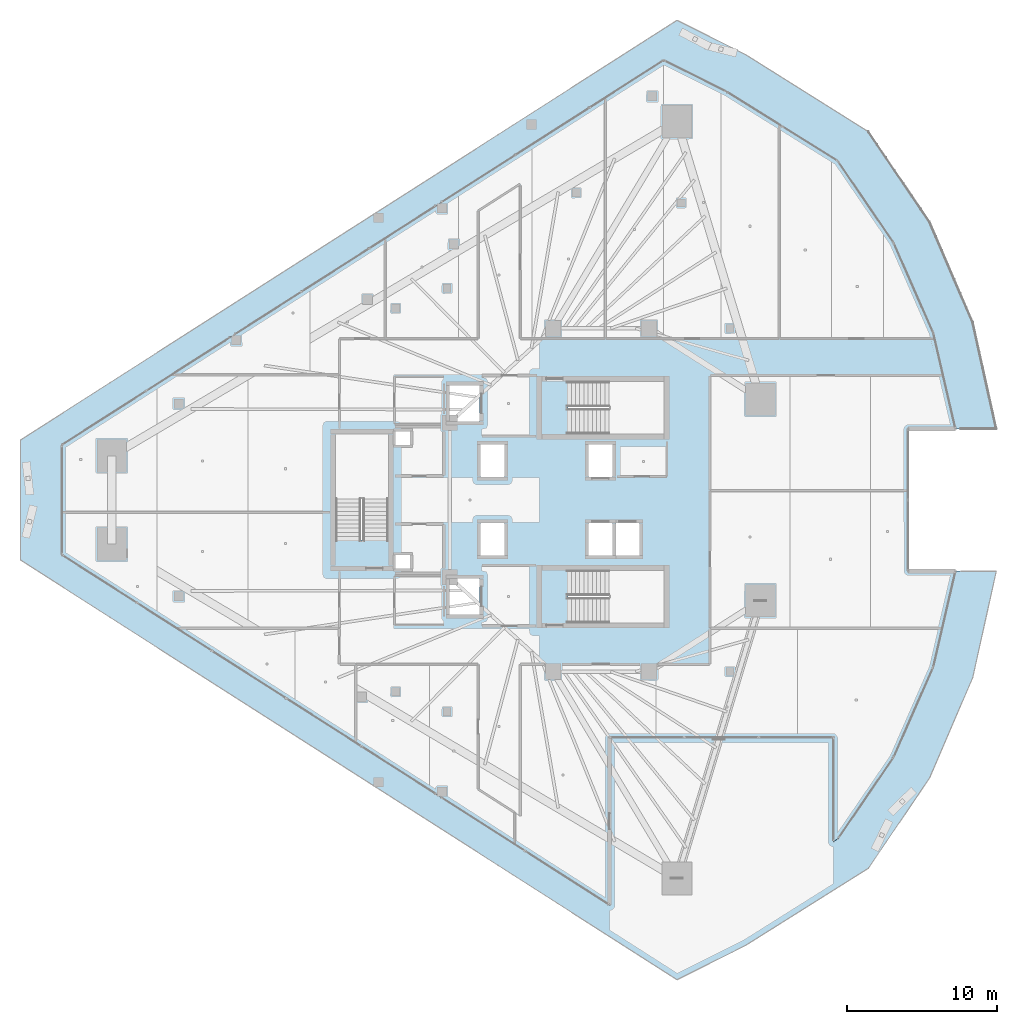
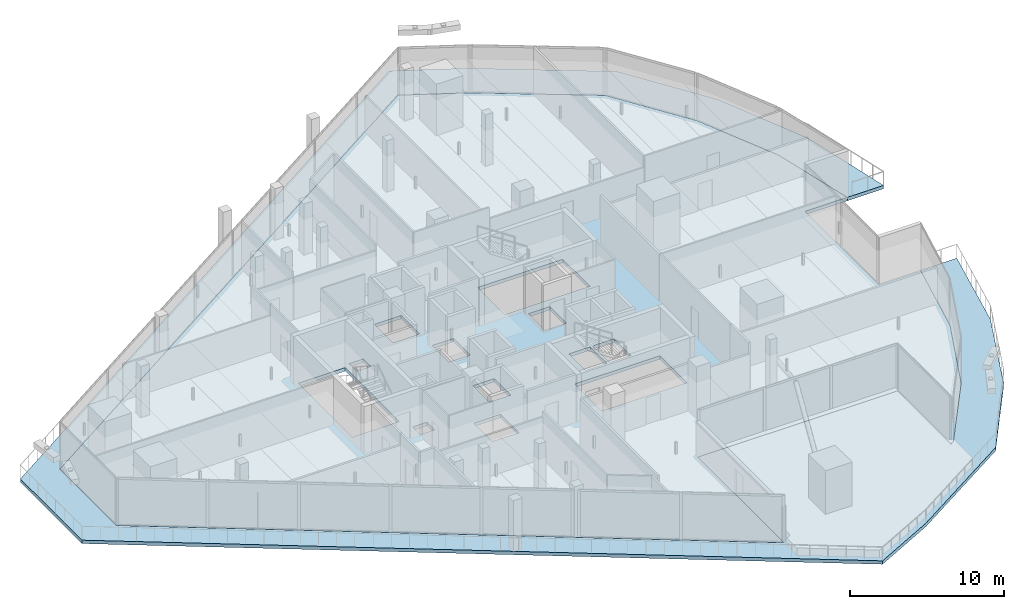
# One storey, part 24 of 38: 2 slabs.
"""IFC4 building model written with IfcOpenShell, lengths in metres."""

from ifc_helpers import new_model, si_unit, direction, frame, origin, place, context, subcontext, project, spatial, polyline, outline, extrude, material, layer, layer_set, type_object, element, save


model = new_model("IFC4")

# Units and contexts
model_context = context("Model", 3, precision=1e-05, world=origin(), true_north=direction((0.0, 1.0)))
body_context = subcontext(model_context, "Body", "Model", "MODEL_VIEW")
ifc_project = project(units=[si_unit("LENGTHUNIT", "METRE"), si_unit("AREAUNIT", "SQUARE_METRE"), si_unit("VOLUMEUNIT", "CUBIC_METRE"), si_unit("PLANEANGLEUNIT", "RADIAN"), si_unit("MASSUNIT", "GRAM", prefix="KILO")], contexts=[model_context])

# Site, building, storey
site_placement = place(None, origin())
site = spatial("IfcSite", under=ifc_project, at=site_placement, CompositionType="ELEMENT")
building_placement = place(site_placement, origin())
building = spatial("IfcBuilding", under=site, at=building_placement, Name="Qorvath Tower", CompositionType="ELEMENT")
storey_placement = place(building_placement, frame((0.0, 0.0, 158.39990234375)))
storey = spatial("IfcBuildingStorey", under=building, at=storey_placement, Name="L36", CompositionType="ELEMENT", Elevation=158.39990234375)

# Slabs
ifc_material_1 = material(Name="Precast concrete C45/55", Category="concrete")
ifc_layer_1 = layer(ifc_material_1, 0.27001953125)
ifc_layer_set_1 = layer_set([ifc_layer_1], Name="SL-LOG-270")
slab_type_1 = type_object("IfcSlabType", Name="SL-LOG-270", PredefinedType="FLOOR", material=ifc_layer_set_1)
slab_1_placement = place(storey_placement, frame((0.0, 0.0, -0.27001953125)))
element("IfcSlab", 1, at=slab_1_placement, inside=storey, type_object=slab_type_1, Name="Tower L36 Perimeter Loggia and Terrace Slab", PredefinedType="FLOOR", context=body_context, shape_type="SweptSolid", body=[
    extrude(outline(polyline([(-10.760498046875, 29.717041015625), (-15.332275390625, 32.0029296875), (-59.14599609375, 4.00048828125), (-59.14599609375, -4.00048828125), (-15.332275390625, -32.0029296875), (-10.760498046875, -29.717041015625), (-2.569091796875, -24.565185546875), (1.511962890625, -18.54052734375), (4.389892578125, -11.85693359375), (5.962158203125, -4.751953125), (3.24609375, -4.751953125), (1.7626953125, -11.153076171875), (-0.87841796875, -17.169677734375), (-4.586181640625, -22.593994140625), (-4.8798828125, -22.77734375), (-4.8798828125, -15.840087890625), (-19.840087890625, -15.840087890625), (-19.840087890625, -27.022216796875), (-56.38232421875, -3.666748046875), (-56.38232421875, 3.666748046875), (-16.2216796875, 29.334716796875), (-12.031005859375, 27.239501953125), (-4.586181640625, 22.593994140625), (-0.87841796875, 17.169677734375), (1.7626953125, 11.153076171875), (3.24609375, 4.751953125), (5.962158203125, 4.751953125), (4.389892578125, 11.85693359375), (1.511962890625, 18.54052734375), (-2.569091796875, 24.565185546875), (-10.760498046875, 29.717041015625)])), origin(), (0.0, 0.0, 1.0), 0.27001953125),
])
ifc_material_2 = material(Name="Concrete C45/55", Category="concrete")
ifc_layer_2 = layer(ifc_material_2, 0.27001953125)
ifc_layer_set_2 = layer_set([ifc_layer_2], Name="SL-MID-270")
slab_type_2 = type_object("IfcSlabType", Name="SL-MID-270", PredefinedType="FLOOR", material=ifc_layer_set_2)
slab_2_placement = place(storey_placement, frame((0.0, 0.0, -0.27001953125)))
element("IfcSlab", 2, at=slab_2_placement, inside=storey, type_object=slab_type_2, Name="Tower L36 Interior Floor Slab", PredefinedType="FLOOR", context=body_context, shape_type="SweptSolid", body=[
    extrude(outline(polyline([(-56.38232421875, -3.666748046875), (-19.840087890625, -27.022216796875), (-19.840087890625, -15.840087890625), (-4.8798828125, -15.840087890625), (-4.8798828125, -22.77734375), (-4.586181640625, -22.593994140625), (-0.87841796875, -17.169677734375), (1.7626953125, -11.153076171875), (3.24609375, -4.751953125), (0.077880859375, -4.751953125), (0.077880859375, 4.751953125), (3.24609375, 4.751953125), (1.7626953125, 11.153076171875), (-0.87841796875, 17.169677734375), (-4.586181640625, 22.593994140625), (-12.031005859375, 27.239501953125), (-16.2216796875, 29.334716796875), (-56.38232421875, 3.666748046875), (-56.38232421875, -3.666748046875)]), holes=[polyline([(-16.2451171875, -8.199951171875), (-22.625, -8.199951171875), (-22.625, -4.68994140625), (-16.2451171875, -4.68994140625), (-16.2451171875, -8.199951171875)]), polyline([(-22.625, 4.39990234375), (-22.625, 7.909912109375), (-16.2451171875, 7.909912109375), (-16.2451171875, 4.39990234375), (-22.625, 4.39990234375)]), polyline([(-17.85009765625, -3.699951171875), (-19.449951171875, -3.699951171875), (-19.449951171875, -1.550048828125), (-17.85009765625, -1.550048828125), (-17.85009765625, -3.699951171875)]), polyline([(-21.25, -3.699951171875), (-21.25, -1.550048828125), (-19.64990234375, -1.550048828125), (-19.64990234375, -3.699951171875), (-21.25, -3.699951171875)]), polyline([(-21.25, 1.550048828125), (-21.25, 3.699951171875), (-19.64990234375, 3.699951171875), (-19.64990234375, 1.550048828125), (-21.25, 1.550048828125)]), polyline([(-28.449951171875, -3.699951171875), (-28.449951171875, -1.550048828125), (-26.85009765625, -1.550048828125), (-26.85009765625, -3.699951171875), (-28.449951171875, -3.699951171875)]), polyline([(-26.85009765625, 1.550048828125), (-28.449951171875, 1.550048828125), (-28.449951171875, 3.699951171875), (-26.85009765625, 3.699951171875), (-26.85009765625, 1.550048828125)]), polyline([(-28.5, -7.64990234375), (-30.5, -7.64990234375), (-30.5, -5.25), (-28.5, -5.25), (-28.5, -7.64990234375)]), polyline([(-30.5, 5.25), (-30.5, 7.64990234375), (-28.5, 7.64990234375), (-28.5, 5.25), (-30.5, 5.25)]), polyline([(-34.14990234375, -4.6201171875), (-34.14990234375, -3.64990234375), (-33.10009765625, -3.64990234375), (-33.10009765625, -4.6201171875), (-34.14990234375, -4.6201171875)]), polyline([(-34.14990234375, 3.64990234375), (-34.14990234375, 4.6201171875), (-33.10009765625, 4.6201171875), (-33.10009765625, 3.64990234375), (-34.14990234375, 3.64990234375)]), polyline([(-34.60009765625, -2.675048828125), (-38.110107421875, -2.675048828125), (-38.110107421875, 4.35498046875), (-34.60009765625, 4.35498046875), (-34.60009765625, -2.675048828125)])]), origin(), (0.0, 0.0, 1.0), 0.27001953125),
])

save(model, "model.ifc")
